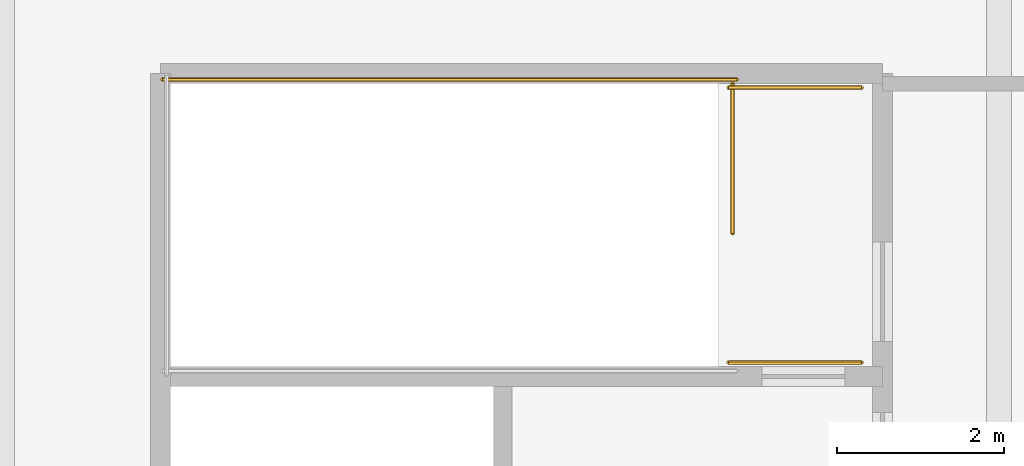
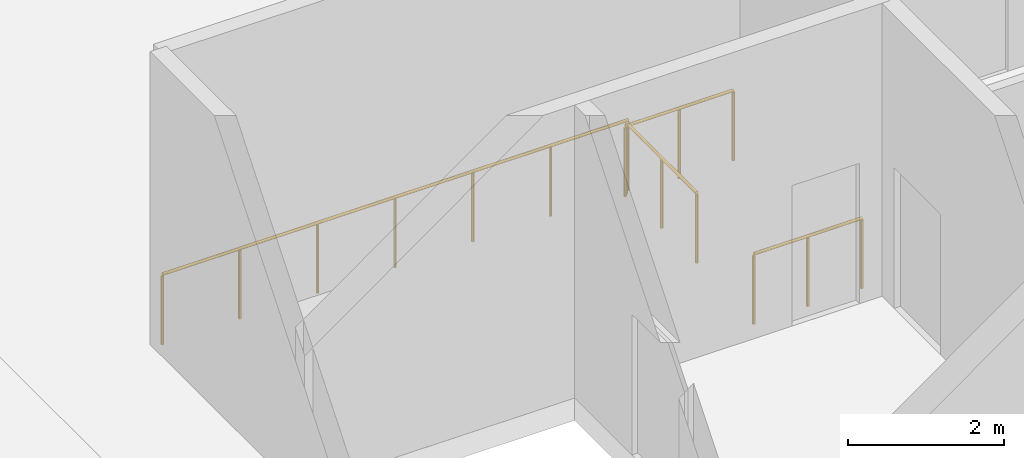
# One storey, part 49 of 49: 4 railings.
"""IFC4 building model written with IfcOpenShell, lengths in metres."""

from ifc_helpers import new_model, si_unit, direction, frame, origin, origin_2d, place, context, subcontext, project, spatial, circle, extrude, material, type_object, element, save


model = new_model("IFC4")

# Units and contexts
model_context = context("Model", 3, precision=1e-05, world=origin(), true_north=direction((0.0, 1.0)))
body_context = subcontext(model_context, "Body", "Model", "MODEL_VIEW")
ifc_project = project(units=[si_unit("LENGTHUNIT", "METRE"), si_unit("AREAUNIT", "SQUARE_METRE"), si_unit("VOLUMEUNIT", "CUBIC_METRE"), si_unit("PLANEANGLEUNIT", "RADIAN"), si_unit("MASSUNIT", "GRAM", prefix="KILO")], contexts=[model_context])

# Site, building, storey
site_placement = place(None, origin())
site = spatial("IfcSite", under=ifc_project, at=site_placement, CompositionType="ELEMENT")
building_placement = place(site_placement, origin())
building = spatial("IfcBuilding", under=site, at=building_placement, Name="Kamomehara Wholesale Market", CompositionType="ELEMENT")
storey_placement = place(building_placement, frame((0.0, 0.0, 11.39990234375)))
storey = spatial("IfcBuildingStorey", under=building, at=storey_placement, Name="L02", CompositionType="ELEMENT", Elevation=11.39990234375)

# Railings
ifc_material = material(Name="Steel SN400B", Category="steel")
railing_type = type_object("IfcRailingType", Name="RAL-INT-1100", PredefinedType="BALUSTRADE", material=ifc_material)
railing_1_placement = place(storey_placement, frame((176.800048828125, 81.300048828125, 0.0)))
element("IfcRailing", 1, at=railing_1_placement, inside=storey, type_object=railing_type, Name="L02 ST-09 top well guard 1", PredefinedType="BALUSTRADE", context=body_context, shape_type="SweptSolid", body=[
    extrude(circle(Radius=0.02392578125, at=origin_2d()), frame((0.0, 0.0, 1.09619140625), z_axis=(0.0, -1.0, 0.0), x_axis=(1.0, 0.0, 0.0)), (0.0, 0.0, 1.0), 1.800048828125),
    extrude(circle(Radius=0.02099609375, at=origin_2d()), origin(), (0.0, 0.0, 1.0), 1.072021484375),
    extrude(circle(Radius=0.02099609375, at=origin_2d()), frame((0.0, -0.89990234375, 0.0)), (0.0, 0.0, 1.0), 1.072021484375),
    extrude(circle(Radius=0.02099609375, at=origin_2d()), frame((0.0, -1.800048828125, 0.0)), (0.0, 0.0, 1.0), 1.072021484375),
])
railing_2_placement = place(storey_placement, frame((176.85009765625, 81.35009765625, 0.0)))
element("IfcRailing", 2, at=railing_2_placement, inside=storey, type_object=railing_type, Name="L02 ST-09 top well guard 2", PredefinedType="BALUSTRADE", context=body_context, shape_type="SweptSolid", body=[
    extrude(circle(Radius=0.02392578125, at=origin_2d()), frame((0.0, 0.0, 1.09619140625), z_axis=(-1.0, 0.0, 0.0), x_axis=(0.0, -1.0, 0.0)), (0.0, 0.0, 1.0), 6.900146484375),
    extrude(circle(Radius=0.02099609375, at=origin_2d()), origin(), (0.0, 0.0, 1.0), 1.072021484375),
    extrude(circle(Radius=0.02099609375, at=origin_2d()), frame((-1.14990234375, 0.0, 0.0)), (0.0, 0.0, 1.0), 1.072021484375),
    extrude(circle(Radius=0.02099609375, at=origin_2d()), frame((-2.300048828125, 0.0, 0.0)), (0.0, 0.0, 1.0), 1.072021484375),
    extrude(circle(Radius=0.02099609375, at=origin_2d()), frame((-3.4501953125, 0.0, 0.0)), (0.0, 0.0, 1.0), 1.072021484375),
    extrude(circle(Radius=0.02099609375, at=origin_2d()), frame((-4.60009765625, 0.0, 0.0)), (0.0, 0.0, 1.0), 1.072021484375),
    extrude(circle(Radius=0.02099609375, at=origin_2d()), frame((-5.75, 0.0, 0.0)), (0.0, 0.0, 1.0), 1.072021484375),
    extrude(circle(Radius=0.02099609375, at=origin_2d()), frame((-6.900146484375, 0.0, 0.0)), (0.0, 0.0, 1.0), 1.072021484375),
])
for number, where, name in (
    (3, (178.35009765625, 81.25, 0.0), "L02 ST-09 top well guard 5"),
    (4, (178.35009765625, 77.949951171875, 0.0), "L02 ST-09 top well guard 6"),
):
    element("IfcRailing", number, at=place(storey_placement, frame(where)), inside=storey, type_object=railing_type, Name=name, PredefinedType="BALUSTRADE", context=body_context, shape_type="SweptSolid", body=[
        extrude(circle(Radius=0.02392578125, at=origin_2d()), frame((0.0, 0.0, 1.09619140625), z_axis=(-1.0, 0.0, 0.0), x_axis=(0.0, -1.0, 0.0)), (0.0, 0.0, 1.0), 1.60009765625),
        extrude(circle(Radius=0.02099609375, at=origin_2d()), origin(), (0.0, 0.0, 1.0), 1.072021484375),
        extrude(circle(Radius=0.02099609375, at=origin_2d()), frame((-0.800048828125, 0.0, 0.0)), (0.0, 0.0, 1.0), 1.072021484375),
        extrude(circle(Radius=0.02099609375, at=origin_2d()), frame((-1.60009765625, 0.0, 0.0)), (0.0, 0.0, 1.0), 1.072021484375),
    ])

save(model, "model.ifc")
